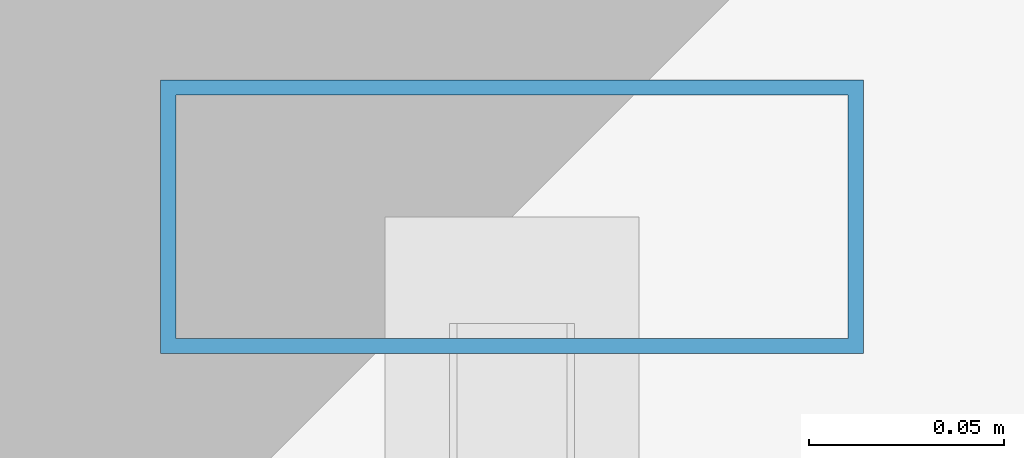
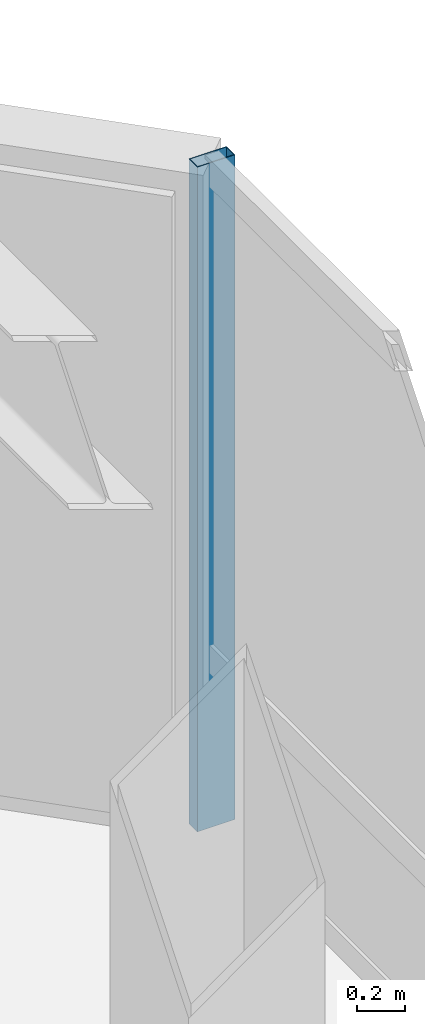
# One storey, part 12 of 18: 1 member, 1 element without a shape of its own.
"""IFC4 building model written with IfcOpenShell, lengths in metres."""

from ifc_helpers import new_model, si_unit, direction, frame, origin, origin_2d, place, context, subcontext, project, spatial, hollow_rectangle, extrude, material, layer, layer_set, material_profile, profile_set, type_object, element, aggregate, save


model = new_model("IFC4")

# Units and contexts
model_context = context("Model", 3, precision=1e-05, world=origin(), true_north=direction((0.0, 1.0)))
body_context = subcontext(model_context, "Body", "Model", "MODEL_VIEW")
ifc_project = project(units=[si_unit("LENGTHUNIT", "METRE"), si_unit("AREAUNIT", "SQUARE_METRE"), si_unit("VOLUMEUNIT", "CUBIC_METRE"), si_unit("PLANEANGLEUNIT", "RADIAN"), si_unit("MASSUNIT", "GRAM", prefix="KILO")], contexts=[model_context])

# Site, building, storey
site_placement = place(None, origin())
site = spatial("IfcSite", under=ifc_project, at=site_placement, CompositionType="ELEMENT")
building_placement = place(site_placement, origin())
building = spatial("IfcBuilding", under=site, at=building_placement, Name="Hatsunagi Terrace Concourse", CompositionType="ELEMENT")
storey_placement = place(building_placement, frame((0.0, 0.0, 250.35009765625)))
storey = spatial("IfcBuildingStorey", under=building, at=storey_placement, Name="L66", CompositionType="ELEMENT", Elevation=250.35009765625)

# Curtain wall, member
ifc_material_1 = material(Name="Anodised Aluminium Alloy 6063-T5", Category="aluminium")
ifc_layer = layer(ifc_material_1, 0.199951171875)
ifc_layer_set = layer_set([ifc_layer], Name="OfficeZone2_CW04")
curtain_wall_type = type_object("IfcCurtainWallType", Name="OfficeZone2_CW04", PredefinedType="NOTDEFINED", material=ifc_layer_set)
curtain_wall_placement = place(storey_placement, origin())
curtain_wall = element("IfcCurtainWall", 1, at=curtain_wall_placement, inside=storey, type_object=curtain_wall_type, Name="Unitised Curtain Wall CW-04 CW-L66-12", PredefinedType="NOTDEFINED")
ifc_material_2 = material(Name="Anodised Aluminium Alloy 6063-T5", Category="aluminium")
ifc_material_profile = material_profile(ifc_material_2, hollow_rectangle(XDim=0.070068359375, YDim=0.179931640625, WallThickness=0.00390625, at=origin_2d()), Name="ALU-MUL-180x70x4")
ifc_profile_set = profile_set([ifc_material_profile], Name="Anodised Aluminium Alloy 6063-T5")
member_type = type_object("IfcMemberType", Name="CurtainWallMullion_180x70", PredefinedType="MULLION", material=ifc_profile_set)
member_placement = place(storey_placement, frame((44.860107421875, 47.94189453125, 0.0), z_axis=(0.0, 0.0, 1.0), x_axis=(0.0, -1.0, 0.0)))
member = element("IfcMember", 2, at=member_placement, type_object=member_type, Name="Curtain Wall Mullion MUL-02", PredefinedType="MULLION", context=body_context, shape_type="SweptSolid", body=[
    extrude(hollow_rectangle(XDim=0.070068359375, YDim=0.179931640625, WallThickness=0.00390625, at=origin_2d()), origin(), (0.0, 0.0, 1.0), 3.349853515625),
])
aggregate(curtain_wall, [member])

save(model, "model.ifc")
